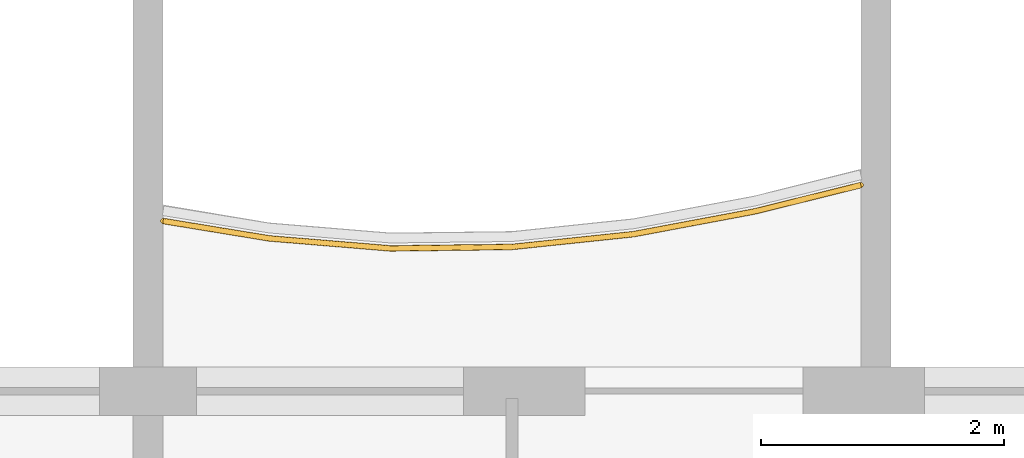
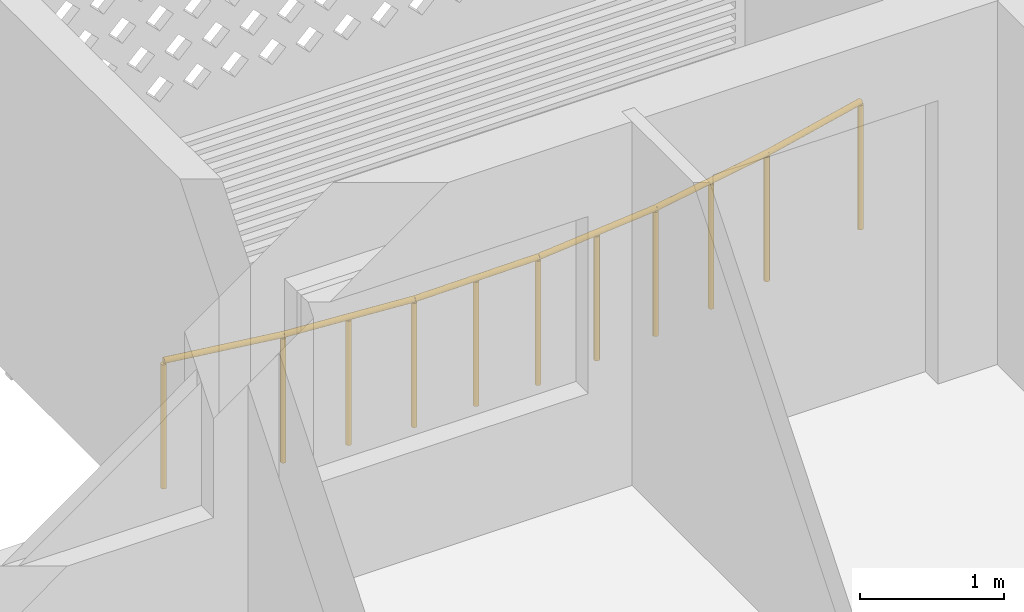
# One storey, part 19 of 26: 1 railing.
"""IFC4 building model written with IfcOpenShell, lengths in metres."""

from ifc_helpers import new_model, si_unit, direction, frame, origin, origin_2d, place, context, subcontext, project, spatial, circle, extrude, material, type_object, element, save


model = new_model("IFC4")

# Units and contexts
model_context = context("Model", 3, precision=1e-05, world=origin(), true_north=direction((0.0, 1.0)))
body_context = subcontext(model_context, "Body", "Model", "MODEL_VIEW")
ifc_project = project(units=[si_unit("LENGTHUNIT", "METRE"), si_unit("AREAUNIT", "SQUARE_METRE"), si_unit("VOLUMEUNIT", "CUBIC_METRE"), si_unit("PLANEANGLEUNIT", "RADIAN"), si_unit("MASSUNIT", "GRAM", prefix="KILO")], contexts=[model_context])

# Site, building, storey
site_placement = place(None, origin())
site = spatial("IfcSite", under=ifc_project, at=site_placement, CompositionType="ELEMENT")
building_placement = place(site_placement, origin())
building = spatial("IfcBuilding", under=site, at=building_placement, Name="Poui Terraces", CompositionType="ELEMENT")
storey_placement = place(building_placement, frame((0.0, 0.0, 241.199951171875)))
storey = spatial("IfcBuildingStorey", under=building, at=storey_placement, Name="L67", CompositionType="ELEMENT", Elevation=241.199951171875)

# Railing
ifc_material = material(Name="Painted steel fretwork", Category="steel")
railing_type = type_object("IfcRailingType", Name="BALCONY GUARD 1100", PredefinedType="GUARDRAIL", material=ifc_material)
railing_placement = place(storey_placement, frame((48.125, 42.6025390625, 0.0)))
element("IfcRailing", 1, at=railing_placement, inside=storey, type_object=railing_type, Name="BALCONY GUARD", PredefinedType="GUARDRAIL", context=body_context, shape_type="SweptSolid", body=[
    extrude(circle(Radius=0.02392578125, at=origin_2d()), frame((0.0, 0.0, 1.076171875), z_axis=(0.986851434927, -0.16162996437, 0.0), x_axis=(0.16162996437, 0.986851434927, 0.0)), (0.0, 0.0, 1.0), 0.88671875),
    extrude(circle(Radius=0.02392578125, at=origin_2d()), frame((0.875, -0.143310546875, 1.076171875), z_axis=(0.99661255374, -0.082240000773, 0.0), x_axis=(0.082240000773, 0.99661255374, 0.0)), (0.0, 0.0, 1.0), 1.00341796875),
    extrude(circle(Radius=0.02392578125, at=origin_2d()), frame((1.875, -0.225830078125, 1.076171875), z_axis=(0.999928452303, 0.011962034708, 0.0), x_axis=(-0.011962034708, 0.999928452303, 0.0)), (0.0, 0.0, 1.0), 1.0),
    extrude(circle(Radius=0.02392578125, at=origin_2d()), frame((2.875, -0.2138671875, 1.076171875), z_axis=(0.994509443434, 0.104646867705, 0.0), x_axis=(-0.104646867705, 0.994509443434, 0.0)), (0.0, 0.0, 1.0), 1.005615234375),
    extrude(circle(Radius=0.02392578125, at=origin_2d()), frame((3.875, -0.108642578125, 1.076171875), z_axis=(0.982828697247, 0.184520329146, 0.0), x_axis=(-0.184520329146, 0.982828697247, 0.0)), (0.0, 0.0, 1.0), 1.017578125),
    extrude(circle(Radius=0.02392578125, at=origin_2d()), frame((4.875, 0.0791015625, 1.076171875), z_axis=(0.970650152273, 0.240495908264, 0.0), x_axis=(-0.240495908264, 0.970650152273, 0.0)), (0.0, 0.0, 1.0), 0.9013671875),
    extrude(circle(Radius=0.02099609375, at=origin_2d()), origin(), (0.0, 0.0, 1.0), 1.052001953125),
    extrude(circle(Radius=0.02099609375, at=origin_2d()), frame((0.875, -0.143310546875, 0.0)), (0.0, 0.0, 1.0), 1.052001953125),
    extrude(circle(Radius=0.02099609375, at=origin_2d()), frame((1.375, -0.1845703125, 0.0)), (0.0, 0.0, 1.0), 1.052001953125),
    extrude(circle(Radius=0.02099609375, at=origin_2d()), frame((1.875, -0.225830078125, 0.0)), (0.0, 0.0, 1.0), 1.052001953125),
    extrude(circle(Radius=0.02099609375, at=origin_2d()), frame((2.375, -0.2197265625, 0.0)), (0.0, 0.0, 1.0), 1.052001953125),
    extrude(circle(Radius=0.02099609375, at=origin_2d()), frame((2.875, -0.2138671875, 0.0)), (0.0, 0.0, 1.0), 1.052001953125),
    extrude(circle(Radius=0.02099609375, at=origin_2d()), frame((3.375, -0.1611328125, 0.0)), (0.0, 0.0, 1.0), 1.052001953125),
    extrude(circle(Radius=0.02099609375, at=origin_2d()), frame((3.875, -0.108642578125, 0.0)), (0.0, 0.0, 1.0), 1.052001953125),
    extrude(circle(Radius=0.02099609375, at=origin_2d()), frame((4.375, -0.0146484375, 0.0)), (0.0, 0.0, 1.0), 1.052001953125),
    extrude(circle(Radius=0.02099609375, at=origin_2d()), frame((4.875, 0.0791015625, 0.0)), (0.0, 0.0, 1.0), 1.052001953125),
    extrude(circle(Radius=0.02099609375, at=origin_2d()), frame((5.75, 0.2958984375, 0.0)), (0.0, 0.0, 1.0), 1.052001953125),
])

save(model, "model.ifc")
